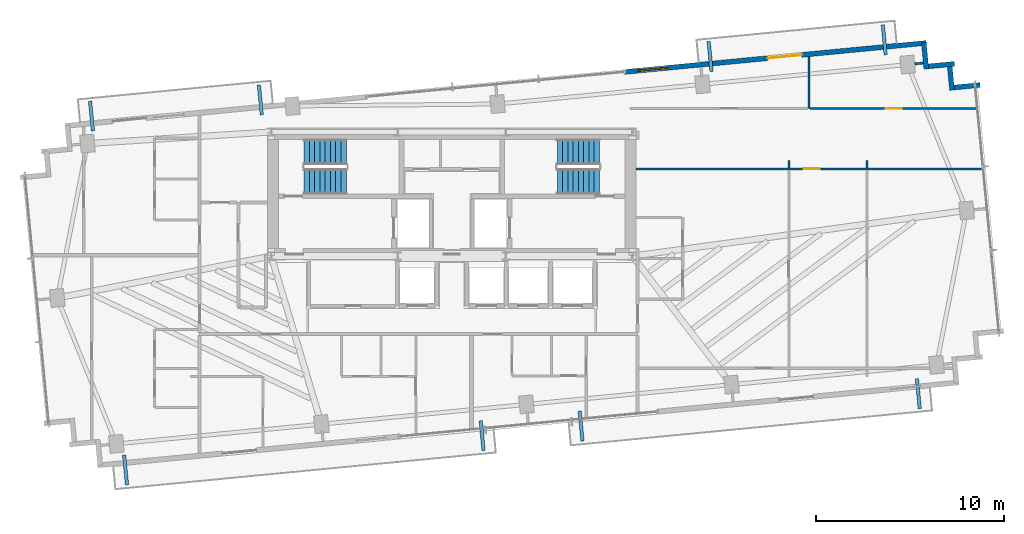
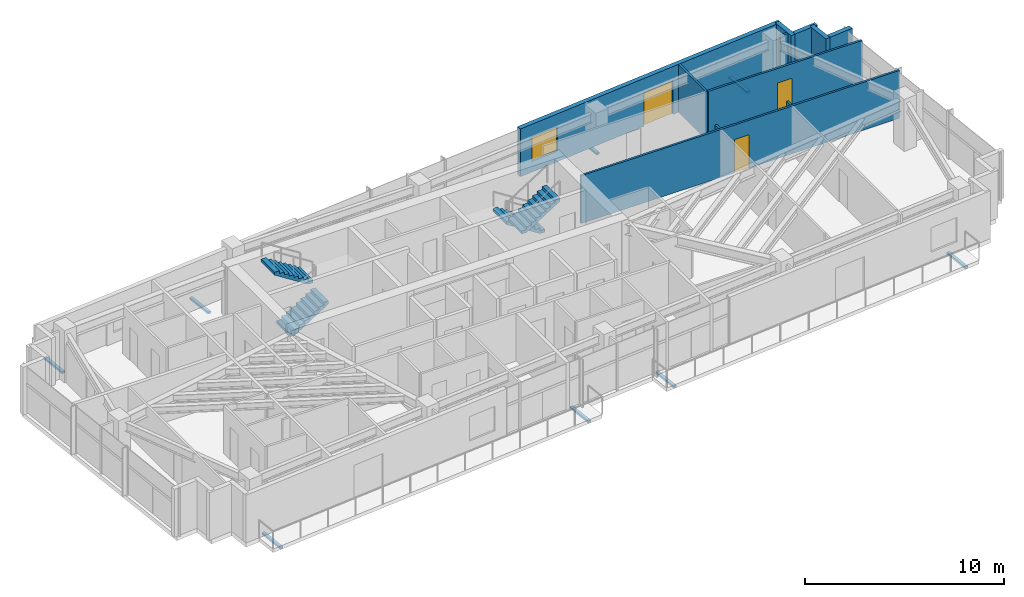
# One storey, part 16 of 18: 11 walls, 8 discrete accessories, 4 stair flights, 3 doors, 1 window, 4 openings, 2 elements without a shape of their own.
"""IFC4 building model written with IfcOpenShell, lengths in metres."""

from ifc_helpers import new_model, si_unit, direction, frame, frame_2d, origin, origin_2d, place, context, subcontext, project, spatial, polyline, rectangle, outline, extrude, source, transform, mapped, material, layer, layer_set, type_object, type_shapes, element, fill, aggregate, save


model = new_model("IFC4")

# Units and contexts
model_context = context("Model", 3, precision=1e-05, world=origin(), true_north=direction((0.0, 1.0)))
body_context = subcontext(model_context, "Body", "Model", "MODEL_VIEW")
ifc_project = project(units=[si_unit("LENGTHUNIT", "METRE"), si_unit("AREAUNIT", "SQUARE_METRE"), si_unit("VOLUMEUNIT", "CUBIC_METRE"), si_unit("PLANEANGLEUNIT", "RADIAN"), si_unit("MASSUNIT", "GRAM", prefix="KILO")], contexts=[model_context])

# Site, building, storey
site_placement = place(None, origin())
site = spatial("IfcSite", under=ifc_project, at=site_placement, CompositionType="ELEMENT")
building_placement = place(site_placement, origin())
building = spatial("IfcBuilding", under=site, at=building_placement, Name="Astriad Promenade Condominiums", CompositionType="ELEMENT")
storey_placement = place(building_placement, frame((0.0, 0.0, 182.60009765625)))
storey = spatial("IfcBuildingStorey", under=building, at=storey_placement, Name="L52", CompositionType="ELEMENT", Elevation=182.60009765625)

# Wall, openings, door, window
ifc_material_1 = material(Name="Precast concrete C50/60", Category="concrete")
ifc_layer_1 = layer(ifc_material_1, 0.260009765625)
ifc_layer_set_1 = layer_set([ifc_layer_1], Name="Precast concrete C50/60")
wall_type_1 = type_object("IfcWallType", Name="WALL-EXT-TWR-260", PredefinedType="STANDARD", material=ifc_layer_set_1)
wall_1_placement = place(storey_placement, frame((45.198974609375, 27.189697265625, 0.0), z_axis=(0.0, 0.0, 1.0), x_axis=(0.995397074604, 0.095836652014, 0.0)))
wall_1 = element("IfcWall", 1, at=wall_1_placement, inside=storey, type_object=wall_type_1, Name="W-EXT-L52-N2", PredefinedType="STANDARD", context=body_context, shape_type="SweptSolid", body=[
    extrude(rectangle(XDim=16.10009765625, YDim=0.260009765625, at=frame_2d((8.050048828125, 0.0))), origin(), (0.0, 0.0, 1.0), 2.93994140625),
])
opening_1_placement = place(wall_1_placement, frame((7.639892578125, 0.0, 0.0)))
opening_1 = element("IfcOpeningElement", 2, at=opening_1_placement, cuts=wall_1, Name="Opening BD-1822-SLD", PredefinedType="OPENING", context=body_context, shape_type="SweptSolid", body=[
    extrude(rectangle(XDim=1.800048828125, YDim=2.06005859375, at=frame_2d((0.89990234375, 1.030029296875))), frame((0.0, 0.139892578125, 0.0), z_axis=(0.0, -1.0, 0.0), x_axis=(1.0, 0.0, 0.0)), (0.0, 0.0, 1.0), 0.280029296875),
])
opening_2_placement = place(wall_1_placement, frame((0.699951171875, 0.0, 0.64990234375)))
opening_2 = element("IfcOpeningElement", 3, at=opening_2_placement, cuts=wall_1, Name="Opening WIN-TWR-1620", PredefinedType="OPENING", context=body_context, shape_type="SweptSolid", body=[
    extrude(rectangle(XDim=1.60009765625, YDim=1.5, at=frame_2d((0.800048828125, 0.75))), frame((0.0, 0.139892578125, 0.0), z_axis=(0.0, -1.0, 0.0), x_axis=(1.0, 0.0, 0.0)), (0.0, 0.0, 1.0), 0.280029296875),
])
ifc_material_2 = material(Name="Thermally Broken Aluminium Sliding Balcony Door", Category="aluminium")
door_type_1 = type_object("IfcDoorType", Name="BD-1822-SLD", OperationType="NOTDEFINED", PredefinedType="DOOR", material=ifc_material_2)
shared_shape_1 = source(origin(), body_context, "Body", "SweptSolid", [
    extrude(rectangle(XDim=1.800048828125, YDim=2.06005859375, at=frame_2d((0.89990234375, 1.030029296875))), frame((0.0, 0.02490234375, 0.0), z_axis=(0.0, -1.0, 0.0), x_axis=(1.0, 0.0, 0.0)), (0.0, 0.0, 1.0), 0.050048828125),
])
type_shapes(door_type_1, [shared_shape_1])
door_1_placement = place(opening_1_placement, origin())
door_1 = element("IfcDoor", 4, at=door_1_placement, inside=storey, type_object=door_type_1, Name="BD-L52-NE", OperationType="SLIDING_TO_RIGHT", OverallHeight=2.06005859375, OverallWidth=1.800048828125, PredefinedType="DOOR", context=body_context, shape_type="MappedRepresentation", body=[
    mapped(shared_shape_1, transform((0.0, 0.0, 0.0), scale=1.0)),
])
fill(opening_1, door_1)
ifc_material_3 = material(Name="Dark Tinted Triple-Glazed Aluminium Window", Category="aluminium")
window_type = type_object("IfcWindowType", Name="WIN-TWR-1620", PartitioningType="SINGLE_PANEL", PredefinedType="WINDOW", material=ifc_material_3)
shared_shape_2 = source(origin(), body_context, "Body", "SweptSolid", [
    extrude(rectangle(XDim=1.60009765625, YDim=1.5, at=frame_2d((0.800048828125, 0.75))), frame((0.0, 0.030029296875, 0.0), z_axis=(0.0, -1.0, 0.0), x_axis=(1.0, 0.0, 0.0)), (0.0, 0.0, 1.0), 0.06005859375),
])
type_shapes(window_type, [shared_shape_2])
window_placement = place(opening_2_placement, origin())
window = element("IfcWindow", 5, at=window_placement, inside=storey, type_object=window_type, Name="WIN-L52-NE", OverallHeight=1.5, OverallWidth=1.60009765625, PartitioningType="SINGLE_PANEL", PredefinedType="WINDOW", context=body_context, shape_type="MappedRepresentation", body=[
    mapped(shared_shape_2, transform((0.0, 0.0, 0.0), scale=1.0)),
])
fill(opening_2, window)

# Walls
wall_2_placement = place(storey_placement, frame((61.093994140625, 28.735107421875, 0.0), z_axis=(0.0, 0.0, 1.0), x_axis=(0.095742423056, -0.99540614245, 0.0)))
element("IfcWall", 6, at=wall_2_placement, inside=storey, type_object=wall_type_1, Name="W-SER-L52-09", PredefinedType="STANDARD", context=body_context, shape_type="SweptSolid", body=[
    extrude(rectangle(XDim=1.394775390625, YDim=0.260009765625, at=frame_2d((0.697265625, 0.0))), origin(), (0.0, 0.0, 1.0), 2.93994140625),
])
wall_3_placement = place(storey_placement, frame((61.32958984375, 27.487060546875, 0.0), z_axis=(0.0, 0.0, 1.0), x_axis=(0.995391056452, 0.09589913835, 0.0)))
element("IfcWall", 7, at=wall_3_placement, inside=storey, type_object=wall_type_1, Name="W-SER-L52-10", PredefinedType="STANDARD", context=body_context, shape_type="SweptSolid", body=[
    extrude(rectangle(XDim=1.39501953125, YDim=0.260009765625, at=frame_2d((0.697509765625, 0.0))), origin(), (0.0, 0.0, 1.0), 2.93994140625),
])
for number, where, z_axis, x_axis, name in (
    (8, (62.4580078125, 27.610595703125, 0.0), (0.0, 0.0, 1.0), (0.095915846097, -0.995389446633, 0.0), "W-SER-L52-11"),
    (9, (62.69384765625, 26.362548828125, 0.0), (0.0, 0.0, 1.0), (0.995389446633, 0.095915846097, 0.0), "W-SER-L52-12"),
):
    element("IfcWall", number, at=place(storey_placement, frame(where, z_axis=z_axis, x_axis=x_axis)), inside=storey, type_object=wall_type_1, Name=name, PredefinedType="STANDARD", context=body_context, shape_type="SweptSolid", body=[
        extrude(rectangle(XDim=1.394775390625, YDim=0.260009765625, at=frame_2d((0.697265625, 0.0))), origin(), (0.0, 0.0, 1.0), 2.93994140625),
    ])
ifc_material_4 = material(Name="Acoustic Metal-Stud Gypsum Partition")
ifc_layer_2 = layer(ifc_material_4, 0.1201171875)
ifc_layer_set_2 = layer_set([ifc_layer_2], Name="Acoustic Metal-Stud Gypsum Partition")
wall_type_2 = type_object("IfcWallType", Name="WALL-PART-120", PredefinedType="PARTITIONING", material=ifc_layer_set_2)
wall_4_placement = place(storey_placement, frame((54.98291015625, 25.2470703125, 0.0), z_axis=(0.0, 0.0, 1.0), x_axis=(0.0, 1.0, 0.0)))
element("IfcWall", 10, at=wall_4_placement, inside=storey, type_object=wall_type_2, Name="PT-L52-E1-B1M", PredefinedType="PARTITIONING", context=body_context, shape_type="SweptSolid", body=[
    extrude(rectangle(XDim=2.751953125, YDim=0.1201171875, at=frame_2d((1.3759765625, 0.0))), origin(), (0.0, 0.0, 1.0), 2.93994140625),
])

# Wall, opening, door
wall_5_placement = place(storey_placement, frame((55.044921875, 25.2470703125, 0.0), z_axis=(0.0, 0.0, 1.0), x_axis=(1.0, 0.0, 0.0)))
wall_5 = element("IfcWall", 11, at=wall_5_placement, inside=storey, type_object=wall_type_2, Name="PT-L52-E1-B1-S2", PredefinedType="PARTITIONING", context=body_context, shape_type="SweptSolid", body=[
    extrude(rectangle(XDim=8.94677734375, YDim=0.1201171875, at=frame_2d((4.473388671875, 0.0))), origin(), (0.0, 0.0, 1.0), 2.93994140625),
])
opening_3_placement = place(wall_5_placement, frame((4.02392578125, 0.0, 0.0)))
opening_3 = element("IfcOpeningElement", 12, at=opening_3_placement, cuts=wall_5, Name="Opening D-INT-085", PredefinedType="OPENING", context=body_context, shape_type="SweptSolid", body=[
    extrude(rectangle(XDim=0.85009765625, YDim=2.050048828125, at=frame_2d((0.425048828125, 1.02490234375))), frame((0.0, 0.070068359375, 0.0), z_axis=(0.0, -1.0, 0.0), x_axis=(1.0, 0.0, 0.0)), (0.0, 0.0, 1.0), 0.14013671875),
])
ifc_material_5 = material(Name="Painted Solid-Core Timber Room Door", Category="wood")
door_type_2 = type_object("IfcDoorType", Name="D-INT-085", OperationType="NOTDEFINED", PredefinedType="DOOR", material=ifc_material_5)
shared_shape_3 = source(origin(), body_context, "Body", "SweptSolid", [
    extrude(rectangle(XDim=0.85009765625, YDim=2.050048828125, at=frame_2d((0.425048828125, 1.02490234375))), frame((0.0, 0.02490234375, 0.0), z_axis=(0.0, -1.0, 0.0), x_axis=(1.0, 0.0, 0.0)), (0.0, 0.0, 1.0), 0.050048828125),
])
type_shapes(door_type_2, [shared_shape_3])
door_2_placement = place(opening_3_placement, origin())
door_2 = element("IfcDoor", 13, at=door_2_placement, inside=storey, type_object=door_type_2, Name="D-BD1B-L52-E1", OperationType="SINGLE_SWING_LEFT", OverallHeight=2.050048828125, OverallWidth=0.85009765625, PredefinedType="DOOR", context=body_context, shape_type="MappedRepresentation", body=[
    mapped(shared_shape_3, transform((0.0, 0.0, 0.0), scale=1.0)),
])
fill(opening_3, door_2)

wall_6_placement = place(storey_placement, frame((45.802001953125, 22.031982421875, 0.0), z_axis=(0.0, 0.0, 1.0), x_axis=(1.0, 0.0, 0.0)))
wall_6 = element("IfcWall", 14, at=wall_6_placement, inside=storey, type_object=wall_type_2, Name="PT-L52-E1-WDN1", PredefinedType="PARTITIONING", context=body_context, shape_type="SweptSolid", body=[
    extrude(rectangle(XDim=18.499267578125, YDim=0.1201171875, at=frame_2d((9.24951171875, 0.0))), origin(), (0.0, 0.0, 1.0), 2.93994140625),
])
opening_4_placement = place(wall_6_placement, frame((8.910888671875, 0.0, 0.0)))
opening_4 = element("IfcOpeningElement", 15, at=opening_4_placement, cuts=wall_6, Name="Opening D-INT-085", PredefinedType="OPENING", context=body_context, shape_type="SweptSolid", body=[
    extrude(rectangle(XDim=0.85009765625, YDim=2.050048828125, at=frame_2d((0.425048828125, 1.02490234375))), frame((0.0, 0.070068359375, 0.0), z_axis=(0.0, -1.0, 0.0), x_axis=(1.0, 0.0, 0.0)), (0.0, 0.0, 1.0), 0.14013671875),
])
door_3_placement = place(opening_4_placement, origin())
door_3 = element("IfcDoor", 16, at=door_3_placement, inside=storey, type_object=door_type_2, Name="D-WDN1-L52-E1", OperationType="SINGLE_SWING_RIGHT", OverallHeight=2.050048828125, OverallWidth=0.85009765625, PredefinedType="DOOR", context=body_context, shape_type="MappedRepresentation", body=[
    mapped(shared_shape_3, transform((0.0, 0.0, 0.0), scale=1.0)),
])
fill(opening_4, door_3)

# Walls
for number, where, z_axis, x_axis, name in (
    (17, (58.070068359375, 22.093994140625, 0.0), (0.0, 0.0, 1.0), (0.0, 1.0, 0.0), "PT-L52-E1-WDV3-S3"),
    (18, (53.923095703125, 22.093994140625, 0.0), (0.0, 0.0, 1.0), (0.0, 1.0, 0.0), "PT-L52-E1-WDV4-S3"),
):
    element("IfcWall", number, at=place(storey_placement, frame(where, z_axis=z_axis, x_axis=x_axis)), inside=storey, type_object=wall_type_2, Name=name, PredefinedType="PARTITIONING", context=body_context, shape_type="SweptSolid", body=[
        extrude(rectangle(XDim=0.3779296875, YDim=0.1201171875, at=frame_2d((0.18896484375, 0.0))), origin(), (0.0, 0.0, 1.0), 2.93994140625),
    ])
wall_7_placement = place(storey_placement, frame((60.60888671875, 27.618408203125, 0.0), z_axis=(0.0, 0.0, 1.0), x_axis=(0.995384576284, 0.09596637586, 0.0)))
element("IfcWall", 19, at=wall_7_placement, inside=storey, type_object=wall_type_2, Name="PT-PIL-L52-PC10-17", PredefinedType="PARTITIONING", context=body_context, shape_type="SweptSolid", body=[
    extrude(rectangle(XDim=0.4580078125, YDim=0.1201171875, at=frame_2d((0.22900390625, 0.0))), origin(), (0.0, 0.0, 1.0), 2.93994140625),
])

# Stair, stair flights
ifc_material_6 = material(Name="Concrete C50/60", Category="concrete")
stair_type = type_object("IfcStairType", Name="STR-CORE-1350", PredefinedType="HALF_TURN_STAIR", material=ifc_material_6)
stair_1_placement = place(storey_placement, origin())
stair_1 = element("IfcStair", 20, at=stair_1_placement, inside=storey, type_object=stair_type, Name="L52 Enclosed Core Exit Stair ST-1", PredefinedType="HALF_TURN_STAIR")
stair_flight_type = type_object("IfcStairFlightType", Name="SFL-CORE-1350", PredefinedType="STRAIGHT", material=ifc_material_6)
shared_shape_4 = source(origin(), body_context, "Body", "SweptSolid", [
    extrude(outline(polyline([(0.0, 0.0), (0.0, 0.177734375), (0.280029296875, 0.177734375), (0.280029296875, 0.35546875), (0.56005859375, 0.35546875), (0.56005859375, 0.533447265625), (0.840087890625, 0.533447265625), (0.840087890625, 0.711181640625), (1.1201171875, 0.711181640625), (1.1201171875, 0.888916015625), (1.39990234375, 0.888916015625), (1.39990234375, 1.066650390625), (1.679931640625, 1.066650390625), (1.679931640625, 1.244384765625), (1.9599609375, 1.244384765625), (1.9599609375, 1.422119140625), (2.239990234375, 1.422119140625), (2.239990234375, 1.60009765625), (2.239990234375, 1.24462890625), (0.27978515625, 0.0), (0.0, 0.0)])), frame((0.0, 0.675048828125, 0.0), z_axis=(0.0, -1.0, 0.0), x_axis=(1.0, 0.0, 0.0)), (0.0, 0.0, 1.0), 1.35009765625),
])
type_shapes(stair_flight_type, [shared_shape_4])
stair_flight_1_placement = place(storey_placement, frame((28.14990234375, 21.375, 0.0), z_axis=(0.0, 0.0, 1.0), x_axis=(1.0, 0.0, 0.0)))
stair_flight_1 = element("IfcStairFlight", 21, at=stair_flight_1_placement, type_object=stair_flight_type, Name="ST-1 flight 1", NumberOfRisers=9, NumberOfTreads=8, PredefinedType="STRAIGHT", RiserHeight=0.177777778, TreadLength=0.28, context=body_context, shape_type="MappedRepresentation", body=[
    mapped(shared_shape_4, transform((0.0, 0.0, 0.0), scale=1.0)),
])
stair_flight_2_placement = place(storey_placement, frame((30.389892578125, 22.925048828125, 1.599853515625), z_axis=(0.0, 0.0, 1.0), x_axis=(-1.0, 0.0, 0.0)))
stair_flight_2 = element("IfcStairFlight", 22, at=stair_flight_2_placement, type_object=stair_flight_type, Name="ST-1 flight 2", NumberOfRisers=9, NumberOfTreads=8, PredefinedType="STRAIGHT", RiserHeight=0.177777778, TreadLength=0.28, context=body_context, shape_type="MappedRepresentation", body=[
    mapped(shared_shape_4, transform((0.0, 0.0, 0.0), scale=1.0)),
])
aggregate(stair_1, [stair_flight_1, stair_flight_2])

stair_2_placement = place(storey_placement, origin())
stair_2 = element("IfcStair", 23, at=stair_2_placement, inside=storey, type_object=stair_type, Name="L52 Enclosed Core Exit Stair ST-2", PredefinedType="HALF_TURN_STAIR")
stair_flight_3_placement = place(storey_placement, frame((43.85009765625, 22.925048828125, 0.0), z_axis=(0.0, 0.0, 1.0), x_axis=(-1.0, 0.0, 0.0)))
stair_flight_3 = element("IfcStairFlight", 24, at=stair_flight_3_placement, type_object=stair_flight_type, Name="ST-2 flight 1", NumberOfRisers=9, NumberOfTreads=8, PredefinedType="STRAIGHT", RiserHeight=0.177777778, TreadLength=0.28, context=body_context, shape_type="MappedRepresentation", body=[
    mapped(shared_shape_4, transform((0.0, 0.0, 0.0), scale=1.0)),
])
stair_flight_4_placement = place(storey_placement, frame((41.610107421875, 21.375, 1.599853515625), z_axis=(0.0, 0.0, 1.0), x_axis=(1.0, 0.0, 0.0)))
stair_flight_4 = element("IfcStairFlight", 25, at=stair_flight_4_placement, type_object=stair_flight_type, Name="ST-2 flight 2", NumberOfRisers=9, NumberOfTreads=8, PredefinedType="STRAIGHT", RiserHeight=0.177777778, TreadLength=0.28, context=body_context, shape_type="MappedRepresentation", body=[
    mapped(shared_shape_4, transform((0.0, 0.0, 0.0), scale=1.0)),
])
aggregate(stair_2, [stair_flight_3, stair_flight_4])

# Discrete accessories
ifc_material_7 = material(Name="Steel ASTM A572 Grade 50", Category="steel")
discrete_accessory_type = type_object("IfcDiscreteAccessoryType", Name="STEEL BALCONY OUTRIGGER BRACKET", PredefinedType="BRACKET", material=ifc_material_7)
shared_shape_5 = source(origin(), body_context, "Body", "SweptSolid", [
    extrude(rectangle(XDim=1.60009765625, YDim=0.179931640625, at=origin_2d()), origin(), (0.0, 0.0, 1.0), 0.1220703125),
])
type_shapes(discrete_accessory_type, [shared_shape_5])
for number, where, z_axis, x_axis, name in (
    (26, (18.657958984375, 6.0283203125, -0.340087890625), (0.0, 0.0, 1.0), (0.09584575252, -0.995396198367, 0.0), "Balcony Outrigger Bracket BAL-L52-SW-A"),
    (27, (37.611328125, 7.853271484375, -0.340087890625), (0.0, 0.0, 1.0), (0.09584575252, -0.995396198367, 0.0), "Balcony Outrigger Bracket BAL-L52-SW-B"),
    (28, (42.87109375, 8.35986328125, -0.340087890625), (0.0, 0.0, 1.0), (0.09584575252, -0.995396198367, 0.0), "Balcony Outrigger Bracket BAL-L52-SE-A"),
    (29, (60.800048828125, 10.086181640625, -0.340087890625), (0.0, 0.0, 1.0), (0.09584575252, -0.995396198367, 0.0), "Balcony Outrigger Bracket BAL-L52-SE-B"),
    (30, (16.846435546875, 24.84130859375, -0.340087890625), (0.0, 0.0, 1.0), (-0.09584575252, 0.995396198367, 0.0), "Balcony Outrigger Bracket BAL-L52-NW-A"),
    (31, (25.822021484375, 25.70556640625, -0.340087890625), (0.0, 0.0, 1.0), (-0.09584575252, 0.995396198367, 0.0), "Balcony Outrigger Bracket BAL-L52-NW-B"),
    (32, (49.7314453125, 28.0078125, -0.340087890625), (0.0, 0.0, 1.0), (-0.09584575252, 0.995396198367, 0.0), "Balcony Outrigger Bracket BAL-L52-NE-A"),
    (33, (58.988525390625, 28.899169921875, -0.340087890625), (0.0, 0.0, 1.0), (-0.09584575252, 0.995396198367, 0.0), "Balcony Outrigger Bracket BAL-L52-NE-B"),
):
    element("IfcDiscreteAccessory", number, at=place(storey_placement, frame(where, z_axis=z_axis, x_axis=x_axis)), inside=storey, type_object=discrete_accessory_type, Name=name, PredefinedType="BRACKET", context=body_context, shape_type="MappedRepresentation", body=[
        mapped(shared_shape_5, transform((0.0, 0.0, 0.0), scale=1.0)),
    ])

save(model, "model.ifc")
